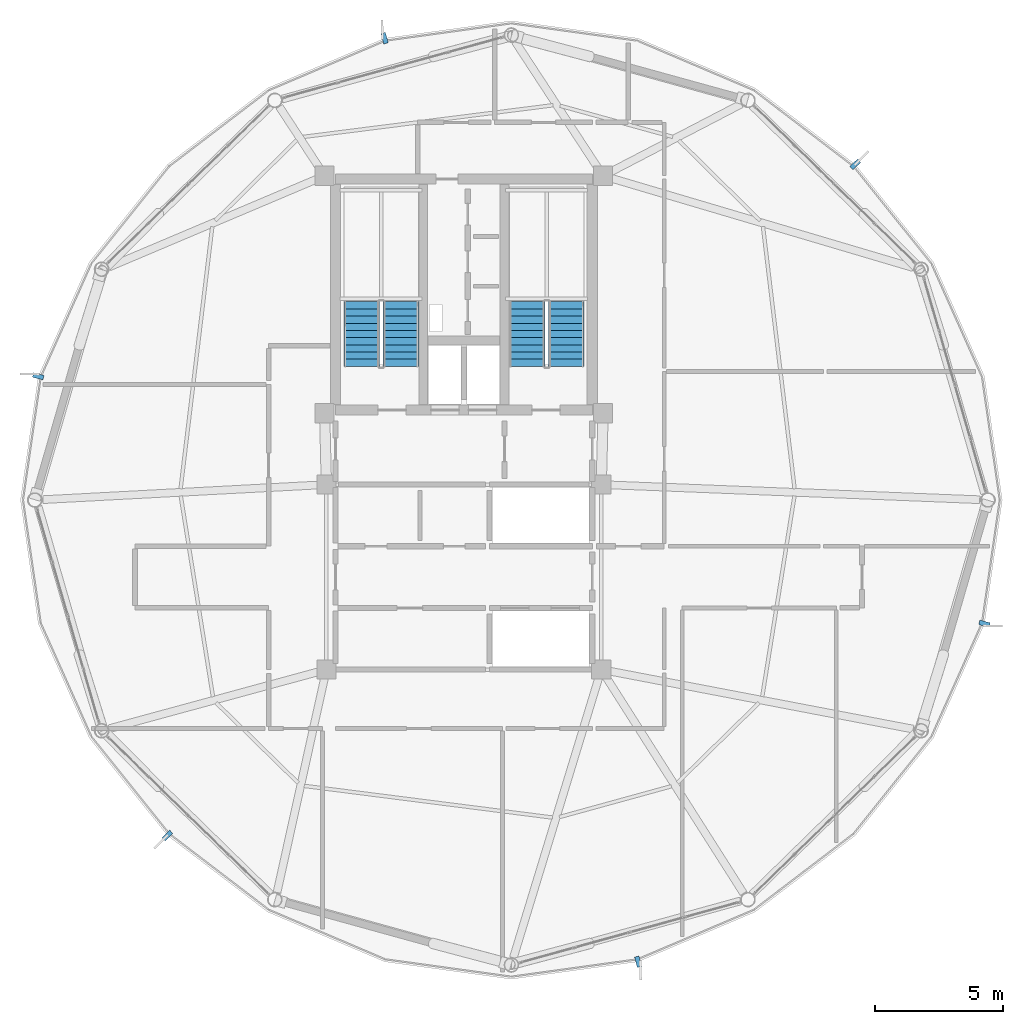
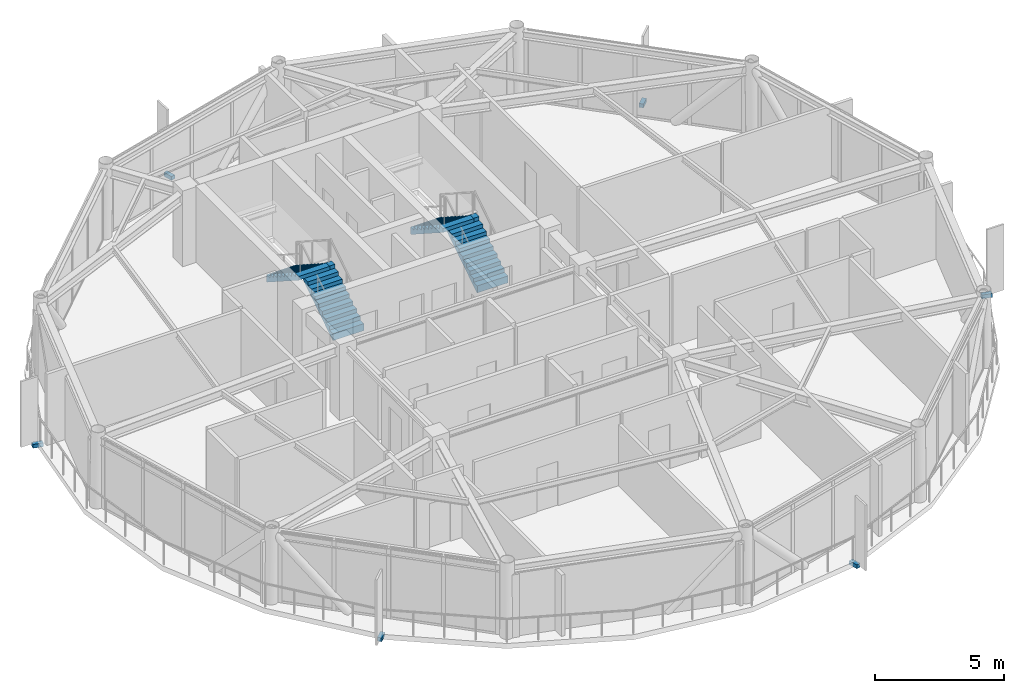
# One storey, part 24 of 27: 6 discrete accessories, 4 stair flights, 2 elements without a shape of their own.
"""IFC4 building model written with IfcOpenShell, lengths in metres."""

from ifc_helpers import new_model, si_unit, direction, frame, origin, origin_2d, place, context, subcontext, project, spatial, polyline, rectangle, outline, extrude, source, transform, mapped, material, type_object, type_shapes, element, aggregate, save


model = new_model("IFC4")

# Units and contexts
model_context = context("Model", 3, precision=1e-05, world=origin(), true_north=direction((0.0, 1.0)))
body_context = subcontext(model_context, "Body", "Model", "MODEL_VIEW")
ifc_project = project(units=[si_unit("LENGTHUNIT", "METRE"), si_unit("AREAUNIT", "SQUARE_METRE"), si_unit("VOLUMEUNIT", "CUBIC_METRE"), si_unit("PLANEANGLEUNIT", "RADIAN"), si_unit("MASSUNIT", "GRAM", prefix="KILO")], contexts=[model_context])

# Site, building, storey
site_placement = place(None, origin())
site = spatial("IfcSite", under=ifc_project, at=site_placement, CompositionType="ELEMENT")
building_placement = place(site_placement, origin())
building = spatial("IfcBuilding", under=site, at=building_placement, Name="Varnakorn Sky Granary", CompositionType="ELEMENT")
storey_placement = place(building_placement, frame((0.0, 0.0, 245.39990234375)))
storey = spatial("IfcBuildingStorey", under=building, at=storey_placement, Name="L62", CompositionType="ELEMENT", Elevation=245.39990234375)

# Stair, stair flights
ifc_material_1 = material(Name="Concrete C40/50", Category="concrete")
stair_type = type_object("IfcStairType", Name="ST-MAIN-ASSEMBLY", PredefinedType="HALF_TURN_STAIR", material=ifc_material_1)
stair_1_placement = place(storey_placement, origin())
stair_1 = element("IfcStair", 1, at=stair_1_placement, inside=storey, type_object=stair_type, Name="L62 Protected Exit Stair ST-1", PredefinedType="HALF_TURN_STAIR")
stair_flight_type = type_object("IfcStairFlightType", Name="ST-MAIN-FLIGHT", PredefinedType="STRAIGHT", material=ifc_material_1)
stair_flight_1_placement = place(storey_placement, frame((0.550048828125, 5.199951171875, 0.0), z_axis=(0.0, 0.0, 1.0), x_axis=(0.0, 1.0, 0.0)))
stair_flight_1 = element("IfcStairFlight", 2, at=stair_flight_1_placement, type_object=stair_flight_type, Name="ST-1 flight 1", NumberOfRisers=10, NumberOfTreads=9, PredefinedType="STRAIGHT", RiserHeight=0.18, TreadLength=0.28, context=body_context, shape_type="SweptSolid", body=[
    extrude(outline(polyline([(0.0, -0.14990234375), (0.0, 0.0), (0.0, 0.179931640625), (0.280029296875, 0.179931640625), (0.280029296875, 0.360107421875), (0.56005859375, 0.360107421875), (0.56005859375, 0.5400390625), (0.840087890625, 0.5400390625), (0.840087890625, 0.719970703125), (1.1201171875, 0.719970703125), (1.1201171875, 0.89990234375), (1.39990234375, 0.89990234375), (1.39990234375, 1.080078125), (1.679931640625, 1.080078125), (1.679931640625, 1.260009765625), (1.9599609375, 1.260009765625), (1.9599609375, 1.43994140625), (2.239990234375, 1.43994140625), (2.239990234375, 1.6201171875), (2.52001953125, 1.6201171875), (2.52001953125, 1.800048828125), (2.52001953125, 1.44189453125), (0.050048828125, -0.14990234375), (0.0, -0.14990234375)])), frame((0.0, 0.68994140625, 0.0), z_axis=(0.0, -1.0, 0.0), x_axis=(1.0, 0.0, 0.0)), (0.0, 0.0, 1.0), 1.3798828125),
])
stair_flight_2_placement = place(storey_placement, frame((-0.97998046875, 7.719970703125, 1.800048828125), z_axis=(0.0, 0.0, 1.0), x_axis=(0.0, -1.0, 0.0)))
stair_flight_2 = element("IfcStairFlight", 3, at=stair_flight_2_placement, type_object=stair_flight_type, Name="ST-1 flight 2", NumberOfRisers=10, NumberOfTreads=9, PredefinedType="STRAIGHT", RiserHeight=0.18, TreadLength=0.28, context=body_context, shape_type="SweptSolid", body=[
    extrude(outline(polyline([(0.0, -0.14990234375), (0.0, 0.0), (0.0, 0.179931640625), (0.280029296875, 0.179931640625), (0.280029296875, 0.360107421875), (0.56005859375, 0.360107421875), (0.56005859375, 0.5400390625), (0.840087890625, 0.5400390625), (0.840087890625, 0.719970703125), (1.1201171875, 0.719970703125), (1.1201171875, 0.89990234375), (1.39990234375, 0.89990234375), (1.39990234375, 1.080078125), (1.679931640625, 1.080078125), (1.679931640625, 1.260009765625), (1.9599609375, 1.260009765625), (1.9599609375, 1.43994140625), (2.239990234375, 1.43994140625), (2.239990234375, 1.6201171875), (2.52001953125, 1.6201171875), (2.52001953125, 1.800048828125), (2.52001953125, 1.44189453125), (0.050048828125, -0.14990234375), (0.0, -0.14990234375)])), frame((0.0, 0.68994140625, 0.0), z_axis=(0.0, -1.0, 0.0), x_axis=(1.0, 0.0, 0.0)), (0.0, 0.0, 1.0), 1.3798828125),
])
aggregate(stair_1, [stair_flight_1, stair_flight_2])

stair_2_placement = place(storey_placement, origin())
stair_2 = element("IfcStair", 4, at=stair_2_placement, inside=storey, type_object=stair_type, Name="L62 Protected Exit Stair ST-2", PredefinedType="HALF_TURN_STAIR")
stair_flight_3_placement = place(storey_placement, frame((6.989990234375, 5.199951171875, 0.0), z_axis=(0.0, 0.0, 1.0), x_axis=(0.0, 1.0, 0.0)))
stair_flight_3 = element("IfcStairFlight", 5, at=stair_flight_3_placement, type_object=stair_flight_type, Name="ST-2 flight 1", NumberOfRisers=10, NumberOfTreads=9, PredefinedType="STRAIGHT", RiserHeight=0.18, TreadLength=0.28, context=body_context, shape_type="SweptSolid", body=[
    extrude(outline(polyline([(0.0, -0.14990234375), (0.0, 0.0), (0.0, 0.179931640625), (0.280029296875, 0.179931640625), (0.280029296875, 0.360107421875), (0.56005859375, 0.360107421875), (0.56005859375, 0.5400390625), (0.840087890625, 0.5400390625), (0.840087890625, 0.719970703125), (1.1201171875, 0.719970703125), (1.1201171875, 0.89990234375), (1.39990234375, 0.89990234375), (1.39990234375, 1.080078125), (1.679931640625, 1.080078125), (1.679931640625, 1.260009765625), (1.9599609375, 1.260009765625), (1.9599609375, 1.43994140625), (2.239990234375, 1.43994140625), (2.239990234375, 1.6201171875), (2.52001953125, 1.6201171875), (2.52001953125, 1.800048828125), (2.52001953125, 1.44189453125), (0.050048828125, -0.14990234375), (0.0, -0.14990234375)])), frame((0.0, 0.68994140625, 0.0), z_axis=(0.0, -1.0, 0.0), x_axis=(1.0, 0.0, 0.0)), (0.0, 0.0, 1.0), 1.3798828125),
])
stair_flight_4_placement = place(storey_placement, frame((5.4599609375, 7.719970703125, 1.800048828125), z_axis=(0.0, 0.0, 1.0), x_axis=(0.0, -1.0, 0.0)))
stair_flight_4 = element("IfcStairFlight", 6, at=stair_flight_4_placement, type_object=stair_flight_type, Name="ST-2 flight 2", NumberOfRisers=10, NumberOfTreads=9, PredefinedType="STRAIGHT", RiserHeight=0.18, TreadLength=0.28, context=body_context, shape_type="SweptSolid", body=[
    extrude(outline(polyline([(0.0, -0.14990234375), (0.0, 0.0), (0.0, 0.179931640625), (0.280029296875, 0.179931640625), (0.280029296875, 0.360107421875), (0.56005859375, 0.360107421875), (0.56005859375, 0.5400390625), (0.840087890625, 0.5400390625), (0.840087890625, 0.719970703125), (1.1201171875, 0.719970703125), (1.1201171875, 0.89990234375), (1.39990234375, 0.89990234375), (1.39990234375, 1.080078125), (1.679931640625, 1.080078125), (1.679931640625, 1.260009765625), (1.9599609375, 1.260009765625), (1.9599609375, 1.43994140625), (2.239990234375, 1.43994140625), (2.239990234375, 1.6201171875), (2.52001953125, 1.6201171875), (2.52001953125, 1.800048828125), (2.52001953125, 1.44189453125), (0.050048828125, -0.14990234375), (0.0, -0.14990234375)])), frame((0.0, 0.68994140625, 0.0), z_axis=(0.0, -1.0, 0.0), x_axis=(1.0, 0.0, 0.0)), (0.0, 0.0, 1.0), 1.3798828125),
])
aggregate(stair_2, [stair_flight_3, stair_flight_4])

# Discrete accessories
ifc_material_2 = material(Name="Steel S355JR", Category="steel")
discrete_accessory_type = type_object("IfcDiscreteAccessoryType", Name="AC-BRK-01", PredefinedType="BRACKET", material=ifc_material_2)
shared_shape = source(origin(), body_context, "Body", "SweptSolid", [
    extrude(rectangle(XDim=0.179931640625, YDim=0.419921875, at=origin_2d()), origin(), (0.0, 0.0, 1.0), 0.179931640625),
])
type_shapes(discrete_accessory_type, [shared_shape])
for number, where, z_axis, x_axis, name in (
    (7, (18.23876953125, 13.0634765625, -0.19970703125), (0.0, 0.0, 1.0), (-0.698361300823, 0.715745411101, 0.0), "Facade Solar-Screen Outrigger Bracket L62-02"),
    (8, (-0.0859375, 17.9765625, -0.19970703125), (0.0, 0.0, 1.0), (-0.964310877766, -0.264772602478, 0.0), "Facade Solar-Screen Outrigger Bracket L62-04"),
    (9, (-13.568603515625, 4.816162109375, -0.19970703125), (0.0, 0.0, 1.0), (-0.252979181387, -0.967471722473, 0.0), "Facade Solar-Screen Outrigger Bracket L62-06"),
    (10, (-8.538818359375, -13.0634765625, -0.19970703125), (0.0, 0.0, 1.0), (0.698361300823, -0.715745411101, 0.0), "Facade Solar-Screen Outrigger Bracket L62-08"),
    (11, (9.785888671875, -17.9765625, -0.19970703125), (0.0, 0.0, 1.0), (0.964310877766, 0.264772602478, 0.0), "Facade Solar-Screen Outrigger Bracket L62-10"),
    (12, (23.2685546875, -4.816162109375, -0.19970703125), (0.0, 0.0, 1.0), (0.252979181387, 0.967471722473, 0.0), "Facade Solar-Screen Outrigger Bracket L62-12"),
):
    element("IfcDiscreteAccessory", number, at=place(storey_placement, frame(where, z_axis=z_axis, x_axis=x_axis)), inside=storey, type_object=discrete_accessory_type, Name=name, PredefinedType="BRACKET", context=body_context, shape_type="MappedRepresentation", body=[
        mapped(shared_shape, transform((0.0, 0.0, 0.0), x_axis=(1.0, 0.0, 0.0), y_axis=(0.0, 1.0, 0.0), z_axis=(0.0, 0.0, 1.0), scale=1.0)),
    ])

save(model, "model.ifc")
